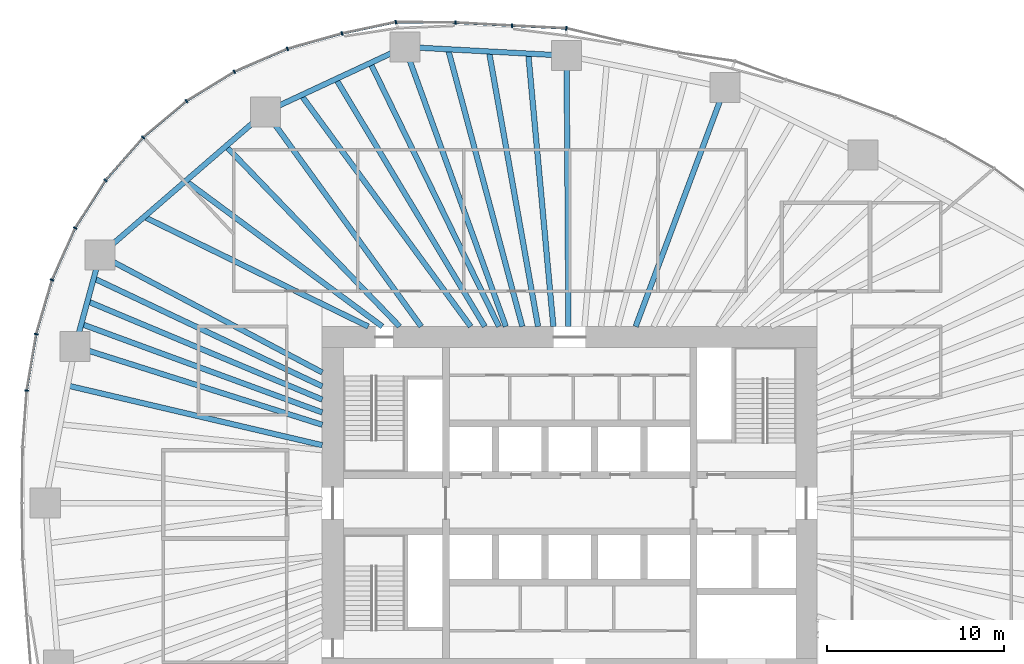
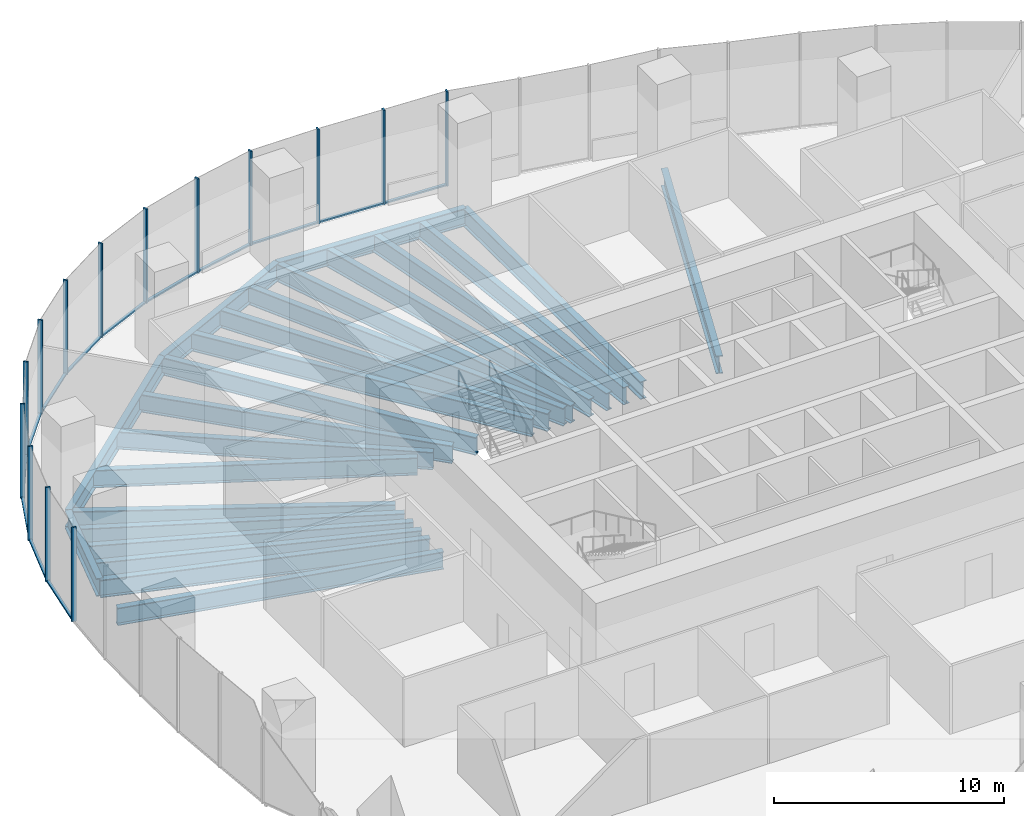
# One storey, part 5 of 20: 27 members, 23 beams, 5 elements without a shape of their own.
"""IFC4 building model written with IfcOpenShell, lengths in metres."""

from ifc_helpers import new_model, si_unit, direction, frame, origin, origin_2d, place, context, subcontext, project, spatial, rectangle, i_section, extrude, material, material_profile, profile_set, type_object, element, aggregate, save


model = new_model("IFC4")

# Units and contexts
model_context = context("Model", 3, precision=1e-05, world=origin(), true_north=direction((0.0, 1.0)))
body_context = subcontext(model_context, "Body", "Model", "MODEL_VIEW")
ifc_project = project(units=[si_unit("LENGTHUNIT", "METRE"), si_unit("AREAUNIT", "SQUARE_METRE"), si_unit("VOLUMEUNIT", "CUBIC_METRE"), si_unit("PLANEANGLEUNIT", "RADIAN"), si_unit("MASSUNIT", "GRAM", prefix="KILO")], contexts=[model_context])

# Site, building, storey
site_placement = place(None, origin())
site = spatial("IfcSite", under=ifc_project, at=site_placement, CompositionType="ELEMENT")
building_placement = place(site_placement, origin())
building = spatial("IfcBuilding", under=site, at=building_placement, Name="Ghaith Harvest Tower", CompositionType="ELEMENT")
storey_placement = place(building_placement, frame((0.0, 0.0, 90.0)))
storey = spatial("IfcBuildingStorey", under=building, at=storey_placement, Name="L18", CompositionType="ELEMENT", Elevation=90.0)

# Curtain wall, members
ifc_material_1 = material(Name="Black anodised aluminium and fritted glass", Category="aluminium")
curtain_wall_type = type_object("IfcCurtainWallType", Name="CW-F CURTAIN WALL", PredefinedType="NOTDEFINED", material=ifc_material_1)
curtain_wall_1_placement = place(storey_placement, origin())
curtain_wall_1 = element("IfcCurtainWall", 1, at=curtain_wall_1_placement, inside=storey, type_object=curtain_wall_type, Name="Curtain wall CW-F bay 06 L18", PredefinedType="NOTDEFINED")
ifc_material_2 = material(Name="Aluminium, black anodised", Category="aluminium")
ifc_material_profile_1 = material_profile(ifc_material_2, rectangle(XDim=0.080078125, YDim=0.219970703125, at=origin_2d()), Name="CW-F MULLION 80x220")
ifc_profile_set_1 = profile_set([ifc_material_profile_1], Name="Aluminium, black anodised")
member_type_1 = type_object("IfcMemberType", Name="CW-F MULLION 80x220", PredefinedType="MULLION", material=ifc_profile_set_1)
member_1_placement = place(storey_placement, frame((-0.183837890625, 26.877197265625, 0.0), z_axis=(0.0, 0.0, 1.0), x_axis=(-0.98971187143, 0.143074845976, 0.0)))
member_1 = element("IfcMember", 2, at=member_1_placement, type_object=member_type_1, Name="CW-F mullion 1 bay 06 L18", PredefinedType="MULLION", context=body_context, shape_type="SweptSolid", body=[
    extrude(rectangle(XDim=0.080078125, YDim=0.219970703125, at=origin_2d()), origin(), (0.0, 0.0, 1.0), 5.0),
])
member_2_placement = place(storey_placement, frame((-3.261962890625, 27.02978515625, 0.0), z_axis=(0.0, 0.0, 1.0), x_axis=(-0.998666923291, 0.051617597049, 0.0)))
member_2 = element("IfcMember", 3, at=member_2_placement, type_object=member_type_1, Name="CW-F mullion 2 bay 06 L18", PredefinedType="MULLION", context=body_context, shape_type="SweptSolid", body=[
    extrude(rectangle(XDim=0.080078125, YDim=0.219970703125, at=origin_2d()), origin(), (0.0, 0.0, 1.0), 5.0),
])
member_3_placement = place(storey_placement, frame((-6.465087890625, 27.20166015625, 0.0), z_axis=(0.0, 0.0, 1.0), x_axis=(-0.999527102163, 0.030750155138, 0.0)))
member_3 = element("IfcMember", 4, at=member_3_placement, type_object=member_type_1, Name="CW-F mullion 3 bay 06 L18", PredefinedType="MULLION", context=body_context, shape_type="SweptSolid", body=[
    extrude(rectangle(XDim=0.080078125, YDim=0.219970703125, at=origin_2d()), origin(), (0.0, 0.0, 1.0), 5.0),
])

curtain_wall_2_placement = place(storey_placement, origin())
curtain_wall_2 = element("IfcCurtainWall", 5, at=curtain_wall_2_placement, inside=storey, type_object=curtain_wall_type, Name="Curtain wall CW-F bay 07 L18", PredefinedType="NOTDEFINED")
member_4_placement = place(storey_placement, frame((-9.835693359375, 27.232177734375, 0.0), z_axis=(0.0, 0.0, 1.0), x_axis=(-0.995408459337, -0.095718332001, 0.0)))
member_4 = element("IfcMember", 6, at=member_4_placement, type_object=member_type_1, Name="CW-F mullion 1 bay 07 L18", PredefinedType="MULLION", context=body_context, shape_type="SweptSolid", body=[
    extrude(rectangle(XDim=0.080078125, YDim=0.219970703125, at=origin_2d()), origin(), (0.0, 0.0, 1.0), 5.0),
])
member_5_placement = place(storey_placement, frame((-12.880615234375, 26.5849609375, 0.0), z_axis=(0.0, 0.0, 1.0), x_axis=(-0.970824511782, -0.239791091, 0.0)))
member_5 = element("IfcMember", 7, at=member_5_placement, type_object=member_type_1, Name="CW-F mullion 2 bay 07 L18", PredefinedType="MULLION", context=body_context, shape_type="SweptSolid", body=[
    extrude(rectangle(XDim=0.080078125, YDim=0.219970703125, at=origin_2d()), origin(), (0.0, 0.0, 1.0), 5.0),
])
member_6_placement = place(storey_placement, frame((-15.97119140625, 25.716552734375, 0.0), z_axis=(0.0, 0.0, 1.0), x_axis=(-0.942293550527, -0.334787790451, 0.0)))
member_6 = element("IfcMember", 8, at=member_6_placement, type_object=member_type_1, Name="CW-F mullion 3 bay 07 L18", PredefinedType="MULLION", context=body_context, shape_type="SweptSolid", body=[
    extrude(rectangle(XDim=0.080078125, YDim=0.219970703125, at=origin_2d()), origin(), (0.0, 0.0, 1.0), 5.0),
])

curtain_wall_3_placement = place(storey_placement, origin())
curtain_wall_3 = element("IfcCurtainWall", 9, at=curtain_wall_3_placement, inside=storey, type_object=curtain_wall_type, Name="Curtain wall CW-F bay 08 L18", PredefinedType="NOTDEFINED")
member_7_placement = place(storey_placement, frame((-18.96728515625, 24.42236328125, 0.0), z_axis=(0.0, 0.0, 1.0), x_axis=(-0.887912253252, -0.460012859086, 0.0)))
member_7 = element("IfcMember", 10, at=member_7_placement, type_object=member_type_1, Name="CW-F mullion 1 bay 08 L18", PredefinedType="MULLION", context=body_context, shape_type="SweptSolid", body=[
    extrude(rectangle(XDim=0.080078125, YDim=0.219970703125, at=origin_2d()), origin(), (0.0, 0.0, 1.0), 5.0),
])
member_8_placement = place(storey_placement, frame((-21.681640625, 22.758056640625, 0.0), z_axis=(0.0, 0.0, 1.0), x_axis=(-0.811400750439, -0.584490224202, 0.0)))
member_8 = element("IfcMember", 11, at=member_8_placement, type_object=member_type_1, Name="CW-F mullion 2 bay 08 L18", PredefinedType="MULLION", context=body_context, shape_type="SweptSolid", body=[
    extrude(rectangle(XDim=0.080078125, YDim=0.219970703125, at=origin_2d()), origin(), (0.0, 0.0, 1.0), 5.0),
])
member_9_placement = place(storey_placement, frame((-24.139404296875, 20.696533203125, 0.0), z_axis=(0.0, 0.0, 1.0), x_axis=(-0.714663248213, -0.699468685256, 0.0)))
member_9 = element("IfcMember", 12, at=member_9_placement, type_object=member_type_1, Name="CW-F mullion 3 bay 08 L18", PredefinedType="MULLION", context=body_context, shape_type="SweptSolid", body=[
    extrude(rectangle(XDim=0.080078125, YDim=0.219970703125, at=origin_2d()), origin(), (0.0, 0.0, 1.0), 5.0),
])

curtain_wall_4_placement = place(storey_placement, origin())
curtain_wall_4 = element("IfcCurtainWall", 13, at=curtain_wall_4_placement, inside=storey, type_object=curtain_wall_type, Name="Curtain wall CW-F bay 09 L18", PredefinedType="NOTDEFINED")
member_10_placement = place(storey_placement, frame((-26.26318359375, 18.274169921875, 0.0), z_axis=(0.0, 0.0, 1.0), x_axis=(-0.599861600644, -0.800103780814, 0.0)))
member_10 = element("IfcMember", 14, at=member_10_placement, type_object=member_type_1, Name="CW-F mullion 1 bay 09 L18", PredefinedType="MULLION", context=body_context, shape_type="SweptSolid", body=[
    extrude(rectangle(XDim=0.080078125, YDim=0.219970703125, at=origin_2d()), origin(), (0.0, 0.0, 1.0), 5.0),
])
member_11_placement = place(storey_placement, frame((-27.986328125, 15.5654296875, 0.0), z_axis=(0.0, 0.0, 1.0), x_axis=(-0.473265082758, -0.880920065297, 0.0)))
member_11 = element("IfcMember", 15, at=member_11_placement, type_object=member_type_1, Name="CW-F mullion 2 bay 09 L18", PredefinedType="MULLION", context=body_context, shape_type="SweptSolid", body=[
    extrude(rectangle(XDim=0.080078125, YDim=0.219970703125, at=origin_2d()), origin(), (0.0, 0.0, 1.0), 5.0),
])
member_12_placement = place(storey_placement, frame((-29.29248046875, 12.63525390625, 0.0), z_axis=(0.0, 0.0, 1.0), x_axis=(-0.344618322502, -0.938742889079, 0.0)))
member_12 = element("IfcMember", 16, at=member_12_placement, type_object=member_type_1, Name="CW-F mullion 3 bay 09 L18", PredefinedType="MULLION", context=body_context, shape_type="SweptSolid", body=[
    extrude(rectangle(XDim=0.080078125, YDim=0.219970703125, at=origin_2d()), origin(), (0.0, 0.0, 1.0), 5.0),
])

curtain_wall_5_placement = place(storey_placement, origin())
curtain_wall_5 = element("IfcCurtainWall", 17, at=curtain_wall_5_placement, inside=storey, type_object=curtain_wall_type, Name="Curtain wall CW-F bay 10 L18", PredefinedType="NOTDEFINED")
member_13_placement = place(storey_placement, frame((-30.1884765625, 9.567138671875, 0.0), z_axis=(0.0, 0.0, 1.0), x_axis=(-0.222967363645, -0.97482590997, 0.0)))
member_13 = element("IfcMember", 18, at=member_13_placement, type_object=member_type_1, Name="CW-F mullion 1 bay 10 L18", PredefinedType="MULLION", context=body_context, shape_type="SweptSolid", body=[
    extrude(rectangle(XDim=0.080078125, YDim=0.219970703125, at=origin_2d()), origin(), (0.0, 0.0, 1.0), 5.0),
])
member_14_placement = place(storey_placement, frame((-30.724365234375, 6.37548828125, 0.0), z_axis=(0.0, 0.0, 1.0), x_axis=(-0.119352816132, -0.99285190501, 0.0)))
member_14 = element("IfcMember", 19, at=member_14_placement, type_object=member_type_1, Name="CW-F mullion 2 bay 10 L18", PredefinedType="MULLION", context=body_context, shape_type="SweptSolid", body=[
    extrude(rectangle(XDim=0.080078125, YDim=0.219970703125, at=origin_2d()), origin(), (0.0, 0.0, 1.0), 5.0),
])

# Member
ifc_material_3 = material(Name="Aluminium, black anodised", Category="aluminium")
ifc_material_profile_2 = material_profile(ifc_material_3, rectangle(XDim=0.139892578125, YDim=0.080078125, at=origin_2d()), Name="CW-F TRANSOM 140x80")
ifc_profile_set_2 = profile_set([ifc_material_profile_2], Name="Aluminium, black anodised")
member_type_2 = type_object("IfcMemberType", Name="CW-F TRANSOM 140x80", PredefinedType="USERDEFINED", material=ifc_profile_set_2)
member_15_placement = place(storey_placement, frame((-0.223876953125, 26.879150390625, 0.0400390625), z_axis=(-0.998772539109, 0.049531960612, 0.0), x_axis=(-0.049531960612, -0.998772539109, 0.0)))
member_15 = element("IfcMember", 20, at=member_15_placement, type_object=member_type_2, Name="CW-F transom 1 bay 06 L18", ObjectType="TRANSOM", PredefinedType="USERDEFINED", context=body_context, shape_type="SweptSolid", body=[
    extrude(rectangle(XDim=0.139892578125, YDim=0.080078125, at=origin_2d()), origin(), (0.0, 0.0, 1.0), 3.001708984375),
])

member_16_placement = place(storey_placement, frame((-3.3017578125, 27.031982421875, 0.0400390625), z_axis=(-0.99856142387, 0.053619798202, 0.0), x_axis=(-0.053619798202, -0.99856142387, 0.0)))
member_16 = element("IfcMember", 21, at=member_16_placement, type_object=member_type_2, Name="CW-F transom 2 bay 06 L18", ObjectType="TRANSOM", PredefinedType="USERDEFINED", context=body_context, shape_type="SweptSolid", body=[
    extrude(rectangle(XDim=0.139892578125, YDim=0.080078125, at=origin_2d()), origin(), (0.0, 0.0, 1.0), 3.1279296875),
])

member_17_placement = place(storey_placement, frame((-6.505126953125, 27.2021484375, 0.0400390625), z_axis=(-0.999959703847, 0.008977231352, 0.0), x_axis=(-0.008977231352, -0.999959703847, 0.0)))
member_17 = element("IfcMember", 22, at=member_17_placement, type_object=member_type_2, Name="CW-F transom 3 bay 06 L18", ObjectType="TRANSOM", PredefinedType="USERDEFINED", context=body_context, shape_type="SweptSolid", body=[
    extrude(rectangle(XDim=0.139892578125, YDim=0.080078125, at=origin_2d()), origin(), (0.0, 0.0, 1.0), 3.290771484375),
])

aggregate(curtain_wall_1, [member_1, member_15, member_2, member_16, member_3, member_17])

member_18_placement = place(storey_placement, frame((-9.874755859375, 27.2236328125, 0.0400390625), z_axis=(-0.978160283029, -0.207852016359, 0.0), x_axis=(0.207852016359, -0.978160283029, 0.0)))
member_18 = element("IfcMember", 23, at=member_18_placement, type_object=member_type_2, Name="CW-F transom 1 bay 07 L18", ObjectType="TRANSOM", PredefinedType="USERDEFINED", context=body_context, shape_type="SweptSolid", body=[
    extrude(rectangle(XDim=0.139892578125, YDim=0.080078125, at=origin_2d()), origin(), (0.0, 0.0, 1.0), 3.03271484375),
])

member_19_placement = place(storey_placement, frame((-12.9189453125, 26.573974609375, 0.0400390625), z_axis=(-0.962727128991, -0.270474536888, 0.0), x_axis=(0.270474536888, -0.962727128991, 0.0)))
member_19 = element("IfcMember", 24, at=member_19_placement, type_object=member_type_2, Name="CW-F transom 2 bay 07 L18", ObjectType="TRANSOM", PredefinedType="USERDEFINED", context=body_context, shape_type="SweptSolid", body=[
    extrude(rectangle(XDim=0.139892578125, YDim=0.080078125, at=origin_2d()), origin(), (0.0, 0.0, 1.0), 3.13037109375),
])

member_20_placement = place(storey_placement, frame((-16.008056640625, 25.70068359375, 0.0400390625), z_axis=(-0.9180027124, -0.396574104079, 0.0), x_axis=(0.396574104079, -0.9180027124, 0.0)))
member_20 = element("IfcMember", 25, at=member_20_placement, type_object=member_type_2, Name="CW-F transom 3 bay 07 L18", ObjectType="TRANSOM", PredefinedType="USERDEFINED", context=body_context, shape_type="SweptSolid", body=[
    extrude(rectangle(XDim=0.139892578125, YDim=0.080078125, at=origin_2d()), origin(), (0.0, 0.0, 1.0), 3.183349609375),
])

aggregate(curtain_wall_2, [member_4, member_18, member_5, member_19, member_6, member_20])

member_21_placement = place(storey_placement, frame((-19.001220703125, 24.4013671875, 0.0400390625), z_axis=(-0.852561687195, -0.522626606219, 0.0), x_axis=(0.522626606219, -0.852561687195, 0.0)))
member_21 = element("IfcMember", 26, at=member_21_placement, type_object=member_type_2, Name="CW-F transom 1 bay 08 L18", ObjectType="TRANSOM", PredefinedType="USERDEFINED", context=body_context, shape_type="SweptSolid", body=[
    extrude(rectangle(XDim=0.139892578125, YDim=0.080078125, at=origin_2d()), origin(), (0.0, 0.0, 1.0), 3.104248046875),
])

member_22_placement = place(storey_placement, frame((-21.71240234375, 22.732421875, 0.0400390625), z_axis=(-0.766144434184, -0.642668426149, 0.0), x_axis=(0.642668426149, -0.766144434184, 0.0)))
member_22 = element("IfcMember", 27, at=member_22_placement, type_object=member_type_2, Name="CW-F transom 2 bay 08 L18", ObjectType="TRANSOM", PredefinedType="USERDEFINED", context=body_context, shape_type="SweptSolid", body=[
    extrude(rectangle(XDim=0.139892578125, YDim=0.080078125, at=origin_2d()), origin(), (0.0, 0.0, 1.0), 3.1279296875),
])

member_23_placement = place(storey_placement, frame((-24.165771484375, 20.66650390625, 0.0400390625), z_axis=(-0.65923052982, -0.751940894322, 0.0), x_axis=(0.751940894322, -0.65923052982, 0.0)))
member_23 = element("IfcMember", 28, at=member_23_placement, type_object=member_type_2, Name="CW-F transom 3 bay 08 L18", ObjectType="TRANSOM", PredefinedType="USERDEFINED", context=body_context, shape_type="SweptSolid", body=[
    extrude(rectangle(XDim=0.139892578125, YDim=0.080078125, at=origin_2d()), origin(), (0.0, 0.0, 1.0), 3.1416015625),
])

aggregate(curtain_wall_3, [member_7, member_21, member_8, member_22, member_9, member_23])

member_24_placement = place(storey_placement, frame((-26.28466796875, 18.240234375, 0.0400390625), z_axis=(-0.536754366643, -0.843738555412, 0.0), x_axis=(0.843738555412, -0.536754366643, 0.0)))
member_24 = element("IfcMember", 29, at=member_24_placement, type_object=member_type_2, Name="CW-F transom 1 bay 09 L18", ObjectType="TRANSOM", PredefinedType="USERDEFINED", context=body_context, shape_type="SweptSolid", body=[
    extrude(rectangle(XDim=0.139892578125, YDim=0.080078125, at=origin_2d()), origin(), (0.0, 0.0, 1.0), 3.13037109375),
])

member_25_placement = place(storey_placement, frame((-28.002685546875, 15.52880859375, 0.0400390625), z_axis=(-0.407123143204, -0.913373278714, 0.0), x_axis=(0.913373278714, -0.407123143204, 0.0)))
member_25 = element("IfcMember", 30, at=member_25_placement, type_object=member_type_2, Name="CW-F transom 2 bay 09 L18", ObjectType="TRANSOM", PredefinedType="USERDEFINED", context=body_context, shape_type="SweptSolid", body=[
    extrude(rectangle(XDim=0.139892578125, YDim=0.080078125, at=origin_2d()), origin(), (0.0, 0.0, 1.0), 3.1279296875),
])

member_26_placement = place(storey_placement, frame((-29.3037109375, 12.596923828125, 0.0400390625), z_axis=(-0.280324903873, -0.959905176707, 0.0), x_axis=(0.959905176707, -0.280324903873, 0.0)))
member_26 = element("IfcMember", 31, at=member_26_placement, type_object=member_type_2, Name="CW-F transom 3 bay 09 L18", ObjectType="TRANSOM", PredefinedType="USERDEFINED", context=body_context, shape_type="SweptSolid", body=[
    extrude(rectangle(XDim=0.139892578125, YDim=0.080078125, at=origin_2d()), origin(), (0.0, 0.0, 1.0), 3.1162109375),
])

aggregate(curtain_wall_4, [member_10, member_24, member_11, member_25, member_12, member_26])

member_27_placement = place(storey_placement, frame((-30.195068359375, 9.52783203125, 0.0400390625), z_axis=(-0.165527763099, -0.986205130611, 0.0), x_axis=(0.986205130611, -0.165527763099, 0.0)))
member_27 = element("IfcMember", 32, at=member_27_placement, type_object=member_type_2, Name="CW-F transom 1 bay 10 L18", ObjectType="TRANSOM", PredefinedType="USERDEFINED", context=body_context, shape_type="SweptSolid", body=[
    extrude(rectangle(XDim=0.139892578125, YDim=0.080078125, at=origin_2d()), origin(), (0.0, 0.0, 1.0), 3.15625),
])

aggregate(curtain_wall_5, [member_13, member_27, member_14])

# Beams
ifc_material_4 = material(Name="Steel ASTM A992 Grade 50", Category="steel")
ifc_material_profile_3 = material_profile(ifc_material_4, i_section(OverallWidth=0.306884765625, OverallDepth=0.94189453125, WebThickness=0.022216796875, FlangeThickness=0.039794921875, at=origin_2d()), Name="W920X345")
ifc_profile_set_3 = profile_set([ifc_material_profile_3], Name="Steel ASTM A992 Grade 50")
beam_type_1 = type_object("IfcBeamType", Name="E920-345 W920X345", PredefinedType="SPANDREL", material=ifc_profile_set_3)
beam_1_placement = place(storey_placement, frame((-0.173095703125, 25.326904296875, -0.6708984375), z_axis=(-0.998545840532, 0.053909223293, 0.0), x_axis=(-0.053909223293, -0.998545840532, 0.0)))
element("IfcBeam", 33, at=beam_1_placement, inside=storey, type_object=beam_type_1, Name="Edge beam E06 L18", PredefinedType="SPANDREL", context=body_context, shape_type="SweptSolid", body=[
    extrude(i_section(OverallWidth=0.306884765625, OverallDepth=0.94189453125, WebThickness=0.022216796875, FlangeThickness=0.039794921875, at=origin_2d()), origin(), (0.0, 0.0, 1.0), 9.166259765625),
])
beam_2_placement = place(storey_placement, frame((-9.325927734375, 25.821044921875, -0.6708984375), z_axis=(-0.906373259523, -0.422477827137, 0.0), x_axis=(0.422477827137, -0.906373259523, 0.0)))
element("IfcBeam", 34, at=beam_2_placement, inside=storey, type_object=beam_type_1, Name="Edge beam E07 L18", PredefinedType="SPANDREL", context=body_context, shape_type="SweptSolid", body=[
    extrude(i_section(OverallWidth=0.306884765625, OverallDepth=0.94189453125, WebThickness=0.022216796875, FlangeThickness=0.039794921875, at=origin_2d()), origin(), (0.0, 0.0, 1.0), 8.689453125),
])
beam_3_placement = place(storey_placement, frame((-17.201904296875, 22.14990234375, -0.6708984375), z_axis=(-0.756392158274, -0.654118416574, 0.0), x_axis=(0.654118416574, -0.756392158274, 0.0)))
element("IfcBeam", 35, at=beam_3_placement, inside=storey, type_object=beam_type_1, Name="Edge beam E08 L18", PredefinedType="SPANDREL", context=body_context, shape_type="SweptSolid", body=[
    extrude(i_section(OverallWidth=0.306884765625, OverallDepth=0.94189453125, WebThickness=0.022216796875, FlangeThickness=0.039794921875, at=origin_2d()), origin(), (0.0, 0.0, 1.0), 12.38916015625),
])
beam_4_placement = place(storey_placement, frame((-26.572998046875, 14.0458984375, -0.6708984375), z_axis=(-0.262724740433, -0.964870825947, 0.0), x_axis=(0.964870825947, -0.262724740433, 0.0)))
element("IfcBeam", 36, at=beam_4_placement, inside=storey, type_object=beam_type_1, Name="Edge beam E09 L18", PredefinedType="SPANDREL", context=body_context, shape_type="SweptSolid", body=[
    extrude(i_section(OverallWidth=0.306884765625, OverallDepth=0.94189453125, WebThickness=0.022216796875, FlangeThickness=0.039794921875, at=origin_2d()), origin(), (0.0, 0.0, 1.0), 5.366455078125),
])
ifc_material_5 = material(Name="Steel ASTM A992 Grade 50", Category="steel")
ifc_material_profile_4 = material_profile(ifc_material_5, i_section(OverallWidth=0.306884765625, OverallDepth=0.94189453125, WebThickness=0.022216796875, FlangeThickness=0.039794921875, at=origin_2d()), Name="W920X345")
ifc_profile_set_4 = profile_set([ifc_material_profile_4], Name="Steel ASTM A992 Grade 50")
beam_type_2 = type_object("IfcBeamType", Name="G920-345 W920X345", PredefinedType="BEAM", material=ifc_profile_set_4)
beam_5_placement = place(storey_placement, frame((3.73828125, 10.0, -0.6708984375), z_axis=(0.350150596156, 0.936693418367, 0.0), x_axis=(-0.936693418367, 0.350150596156, 0.0)))
element("IfcBeam", 37, at=beam_5_placement, inside=storey, type_object=beam_type_2, Name="Radial girder G05 L18", PredefinedType="BEAM", context=body_context, shape_type="SweptSolid", body=[
    extrude(i_section(OverallWidth=0.306884765625, OverallDepth=0.94189453125, WebThickness=0.022216796875, FlangeThickness=0.039794921875, at=origin_2d()), origin(), (0.0, 0.0, 1.0), 14.44140625),
])
beam_6_placement = place(storey_placement, frame((-0.068359375, 10.0, -0.6708984375), z_axis=(-0.006833335732, 0.999976652489, 0.0), x_axis=(-0.999976652489, -0.006833335732, 0.0)))
element("IfcBeam", 38, at=beam_6_placement, inside=storey, type_object=beam_type_2, Name="Radial girder G06 L18", PredefinedType="BEAM", context=body_context, shape_type="SweptSolid", body=[
    extrude(i_section(OverallWidth=0.306884765625, OverallDepth=0.94189453125, WebThickness=0.022216796875, FlangeThickness=0.039794921875, at=origin_2d()), origin(), (0.0, 0.0, 1.0), 15.3271484375),
])
beam_7_placement = place(storey_placement, frame((-3.61181640625, 10.0, -0.6708984375), z_axis=(-0.339694751271, 0.940535738799, 0.0), x_axis=(-0.940535738799, -0.339694751271, 0.0)))
element("IfcBeam", 39, at=beam_7_placement, inside=storey, type_object=beam_type_2, Name="Radial girder G07 L18", PredefinedType="BEAM", context=body_context, shape_type="SweptSolid", body=[
    extrude(i_section(OverallWidth=0.306884765625, OverallDepth=0.94189453125, WebThickness=0.022216796875, FlangeThickness=0.039794921875, at=origin_2d()), origin(), (0.0, 0.0, 1.0), 16.8212890625),
])
beam_8_placement = place(storey_placement, frame((-8.39990234375, 10.0, -0.6708984375), z_axis=(-0.586675813287, 0.809821887889, 0.0), x_axis=(-0.809821887889, -0.586675813287, 0.0)))
element("IfcBeam", 40, at=beam_8_placement, inside=storey, type_object=beam_type_2, Name="Radial girder G08 L18", PredefinedType="BEAM", context=body_context, shape_type="SweptSolid", body=[
    extrude(i_section(OverallWidth=0.306884765625, OverallDepth=0.94189453125, WebThickness=0.022216796875, FlangeThickness=0.039794921875, at=origin_2d()), origin(), (0.0, 0.0, 1.0), 15.003173828125),
])
beam_9_placement = place(storey_placement, frame((-14.0, 7.39990234375, -0.6708984375), z_axis=(-0.88408713845, 0.467322085533, 0.0), x_axis=(-0.467322085533, -0.88408713845, 0.0)))
element("IfcBeam", 41, at=beam_9_placement, inside=storey, type_object=beam_type_2, Name="Radial girder G09 L18", PredefinedType="BEAM", context=body_context, shape_type="SweptSolid", body=[
    extrude(i_section(OverallWidth=0.306884765625, OverallDepth=0.94189453125, WebThickness=0.022216796875, FlangeThickness=0.039794921875, at=origin_2d()), origin(), (0.0, 0.0, 1.0), 14.221435546875),
])
beam_10_placement = place(storey_placement, frame((-14.0, 4.43701171875, -0.6708984375), z_axis=(-0.953283605796, 0.302076756671, 0.0), x_axis=(-0.302076756671, -0.953283605796, 0.0)))
element("IfcBeam", 42, at=beam_10_placement, inside=storey, type_object=beam_type_2, Name="Radial girder G10 L18", PredefinedType="BEAM", context=body_context, shape_type="SweptSolid", body=[
    extrude(i_section(OverallWidth=0.306884765625, OverallDepth=0.94189453125, WebThickness=0.022216796875, FlangeThickness=0.039794921875, at=origin_2d()), origin(), (0.0, 0.0, 1.0), 14.668212890625),
])
ifc_material_6 = material(Name="Steel ASTM A992 Grade 50", Category="steel")
ifc_material_profile_5 = material_profile(ifc_material_6, i_section(OverallWidth=0.31005859375, OverallDepth=0.927001953125, WebThickness=0.019287109375, FlangeThickness=0.031982421875, at=origin_2d()), Name="W920X289")
ifc_profile_set_5 = profile_set([ifc_material_profile_5], Name="Steel ASTM A992 Grade 50")
beam_type_3 = type_object("IfcBeamType", Name="J920-289 W920X289", PredefinedType="JOIST", material=ifc_profile_set_5)
beam_11_placement = place(storey_placement, frame((-0.92041015625, 10.0, -0.66357421875), z_axis=(-0.091647013776, 0.995791556936, 0.0), x_axis=(-0.995791556936, -0.091647013776, 0.0)))
element("IfcBeam", 43, at=beam_11_placement, inside=storey, type_object=beam_type_3, Name="Joist J06.1 L18", PredefinedType="JOIST", context=body_context, shape_type="SweptSolid", body=[
    extrude(i_section(OverallWidth=0.31005859375, OverallDepth=0.927001953125, WebThickness=0.019287109375, FlangeThickness=0.031982421875, at=origin_2d()), origin(), (0.0, 0.0, 1.0), 15.50927734375),
])
beam_12_placement = place(storey_placement, frame((-1.785888671875, 10.0, -0.66357421875), z_axis=(-0.175789035136, 0.984427861819, 0.0), x_axis=(-0.984427861819, -0.175789035136, 0.0)))
element("IfcBeam", 44, at=beam_12_placement, inside=storey, type_object=beam_type_3, Name="Joist J06.2 L18", PredefinedType="JOIST", context=body_context, shape_type="SweptSolid", body=[
    extrude(i_section(OverallWidth=0.31005859375, OverallDepth=0.927001953125, WebThickness=0.019287109375, FlangeThickness=0.031982421875, at=origin_2d()), origin(), (0.0, 0.0, 1.0), 15.810302734375),
])
beam_13_placement = place(storey_placement, frame((-10.60009765625, 10.0, -0.66357421875), z_axis=(-0.803663089107, 0.595084564752, 0.0), x_axis=(-0.595084564752, -0.803663089107, 0.0)))
element("IfcBeam", 45, at=beam_13_placement, inside=storey, type_object=beam_type_3, Name="Joist J08.2 L18", PredefinedType="JOIST", context=body_context, shape_type="SweptSolid", body=[
    extrude(i_section(OverallWidth=0.31005859375, OverallDepth=0.927001953125, WebThickness=0.019287109375, FlangeThickness=0.031982421875, at=origin_2d()), origin(), (0.0, 0.0, 1.0), 13.843505859375),
])
beam_14_placement = place(storey_placement, frame((-11.39990234375, 10.0, -0.66357421875), z_axis=(-0.898274832354, 0.439434096946, 0.0), x_axis=(-0.439434096946, -0.898274832354, 0.0)))
element("IfcBeam", 46, at=beam_14_placement, inside=storey, type_object=beam_type_3, Name="Joist J08.3 L18", PredefinedType="JOIST", context=body_context, shape_type="SweptSolid", body=[
    extrude(i_section(OverallWidth=0.31005859375, OverallDepth=0.927001953125, WebThickness=0.019287109375, FlangeThickness=0.031982421875, at=origin_2d()), origin(), (0.0, 0.0, 1.0), 14.114990234375),
])
beam_15_placement = place(storey_placement, frame((-14.0, 6.614990234375, -0.66357421875), z_axis=(-0.904153428261, 0.427207886354, 0.0), x_axis=(-0.427207886354, -0.904153428261, 0.0)))
element("IfcBeam", 47, at=beam_15_placement, inside=storey, type_object=beam_type_3, Name="Joist J09.1 L18", PredefinedType="JOIST", context=body_context, shape_type="SweptSolid", body=[
    extrude(i_section(OverallWidth=0.31005859375, OverallDepth=0.927001953125, WebThickness=0.019287109375, FlangeThickness=0.031982421875, at=origin_2d()), origin(), (0.0, 0.0, 1.0), 14.303466796875),
])
beam_16_placement = place(storey_placement, frame((-14.0, 5.862548828125, -0.66357421875), z_axis=(-0.922385943167, 0.38626955853, 0.0), x_axis=(-0.38626955853, -0.922385943167, 0.0)))
element("IfcBeam", 48, at=beam_16_placement, inside=storey, type_object=beam_type_3, Name="Joist J09.2 L18", PredefinedType="JOIST", context=body_context, shape_type="SweptSolid", body=[
    extrude(i_section(OverallWidth=0.31005859375, OverallDepth=0.927001953125, WebThickness=0.019287109375, FlangeThickness=0.031982421875, at=origin_2d()), origin(), (0.0, 0.0, 1.0), 14.404296875),
])
beam_17_placement = place(storey_placement, frame((-14.0, 5.137939453125, -0.66357421875), z_axis=(-0.93877541132, 0.344529718748, 0.0), x_axis=(-0.344529718748, -0.93877541132, 0.0)))
element("IfcBeam", 49, at=beam_17_placement, inside=storey, type_object=beam_type_3, Name="Joist J09.3 L18", PredefinedType="JOIST", context=body_context, shape_type="SweptSolid", body=[
    extrude(i_section(OverallWidth=0.31005859375, OverallDepth=0.927001953125, WebThickness=0.019287109375, FlangeThickness=0.031982421875, at=origin_2d()), origin(), (0.0, 0.0, 1.0), 14.525390625),
])
beam_18_placement = place(storey_placement, frame((-14.0, 3.280517578125, -0.66357421875), z_axis=(-0.973623012228, 0.228162727151, 0.0), x_axis=(-0.228162727151, -0.973623012228, 0.0)))
element("IfcBeam", 50, at=beam_18_placement, inside=storey, type_object=beam_type_3, Name="Joist J10.1 L18", PredefinedType="JOIST", context=body_context, shape_type="SweptSolid", body=[
    extrude(i_section(OverallWidth=0.31005859375, OverallDepth=0.927001953125, WebThickness=0.019287109375, FlangeThickness=0.031982421875, at=origin_2d()), origin(), (0.0, 0.0, 1.0), 14.795166015625),
])
ifc_material_7 = material(Name="Steel ASTM A992 Grade 50", Category="steel")
ifc_material_profile_6 = material_profile(ifc_material_7, i_section(OverallWidth=0.306884765625, OverallDepth=0.94189453125, WebThickness=0.022216796875, FlangeThickness=0.039794921875, at=origin_2d()), Name="W920X345")
ifc_profile_set_6 = profile_set([ifc_material_profile_6], Name="Steel ASTM A992 Grade 50")
beam_type_4 = type_object("IfcBeamType", Name="J920-345 W920X345", PredefinedType="JOIST", material=ifc_profile_set_6)
beam_19_placement = place(storey_placement, frame((-2.677978515625, 10.0, -0.6708984375), z_axis=(-0.258679482451, 0.965963211183, 0.0), x_axis=(-0.965963211183, -0.258679482451, 0.0)))
element("IfcBeam", 51, at=beam_19_placement, inside=storey, type_object=beam_type_4, Name="Joist J06.3 L18", PredefinedType="JOIST", context=body_context, shape_type="SweptSolid", body=[
    extrude(i_section(OverallWidth=0.306884765625, OverallDepth=0.94189453125, WebThickness=0.022216796875, FlangeThickness=0.039794921875, at=origin_2d()), origin(), (0.0, 0.0, 1.0), 16.24169921875),
])
beam_20_placement = place(storey_placement, frame((-4.0, 10.0, -0.6708984375), z_axis=(-0.438505380705, 0.898728563635, 0.0), x_axis=(-0.898728563635, -0.438505380705, 0.0)))
element("IfcBeam", 52, at=beam_20_placement, inside=storey, type_object=beam_type_4, Name="Joist J07.1 L18", PredefinedType="JOIST", context=body_context, shape_type="SweptSolid", body=[
    extrude(i_section(OverallWidth=0.306884765625, OverallDepth=0.94189453125, WebThickness=0.022216796875, FlangeThickness=0.039794921875, at=origin_2d()), origin(), (0.0, 0.0, 1.0), 16.592529296875),
])
beam_21_placement = place(storey_placement, frame((-4.800048828125, 10.0, -0.6708984375), z_axis=(-0.515358894704, 0.85697445099, 0.0), x_axis=(-0.85697445099, -0.515358894704, 0.0)))
element("IfcBeam", 53, at=beam_21_placement, inside=storey, type_object=beam_type_4, Name="Joist J07.2 L18", PredefinedType="JOIST", context=body_context, shape_type="SweptSolid", body=[
    extrude(i_section(OverallWidth=0.306884765625, OverallDepth=0.94189453125, WebThickness=0.022216796875, FlangeThickness=0.039794921875, at=origin_2d()), origin(), (0.0, 0.0, 1.0), 16.34228515625),
])
beam_22_placement = place(storey_placement, frame((-5.60009765625, 10.0, -0.6708984375), z_axis=(-0.591008736068, 0.806665155992, 0.0), x_axis=(-0.806665155992, -0.591008736068, 0.0)))
element("IfcBeam", 54, at=beam_22_placement, inside=storey, type_object=beam_type_4, Name="Joist J07.3 L18", PredefinedType="JOIST", context=body_context, shape_type="SweptSolid", body=[
    extrude(i_section(OverallWidth=0.306884765625, OverallDepth=0.94189453125, WebThickness=0.022216796875, FlangeThickness=0.039794921875, at=origin_2d()), origin(), (0.0, 0.0, 1.0), 16.22509765625),
])
beam_23_placement = place(storey_placement, frame((-9.626708984375, 10.0, -0.6708984375), z_axis=(-0.693535693616, 0.720422266231, 0.0), x_axis=(-0.720422266231, -0.693535693616, 0.0)))
element("IfcBeam", 55, at=beam_23_placement, inside=storey, type_object=beam_type_4, Name="Joist J08.1 L18", PredefinedType="JOIST", context=body_context, shape_type="SweptSolid", body=[
    extrude(i_section(OverallWidth=0.306884765625, OverallDepth=0.94189453125, WebThickness=0.022216796875, FlangeThickness=0.039794921875, at=origin_2d()), origin(), (0.0, 0.0, 1.0), 14.16552734375),
])

save(model, "model.ifc")
